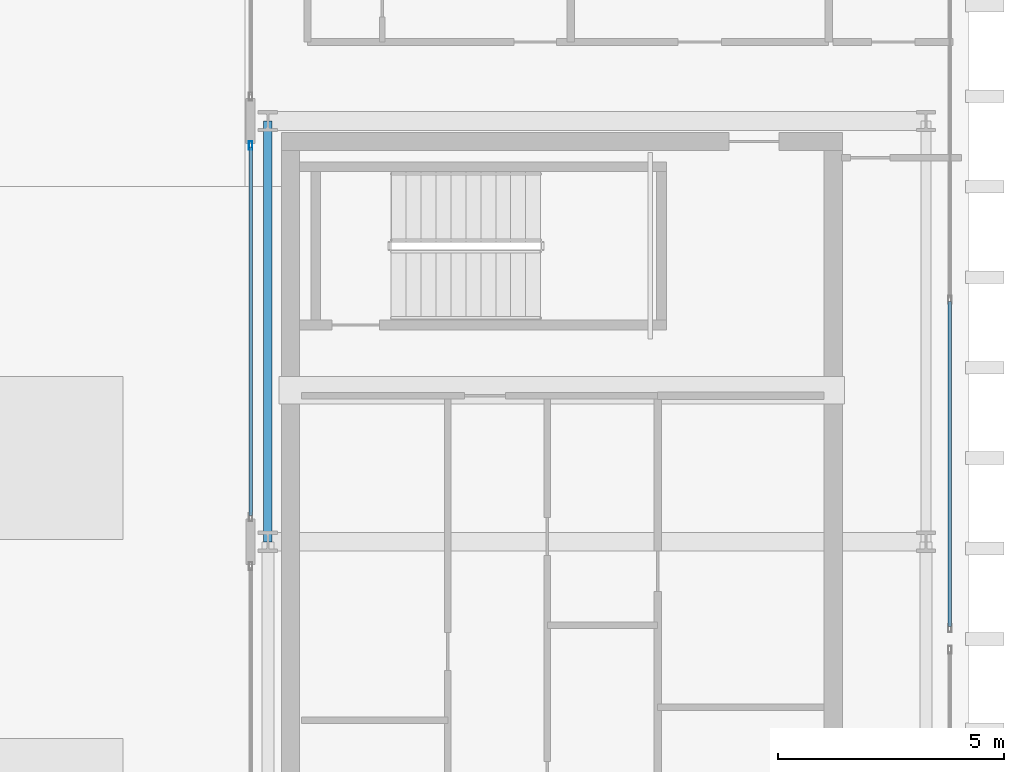
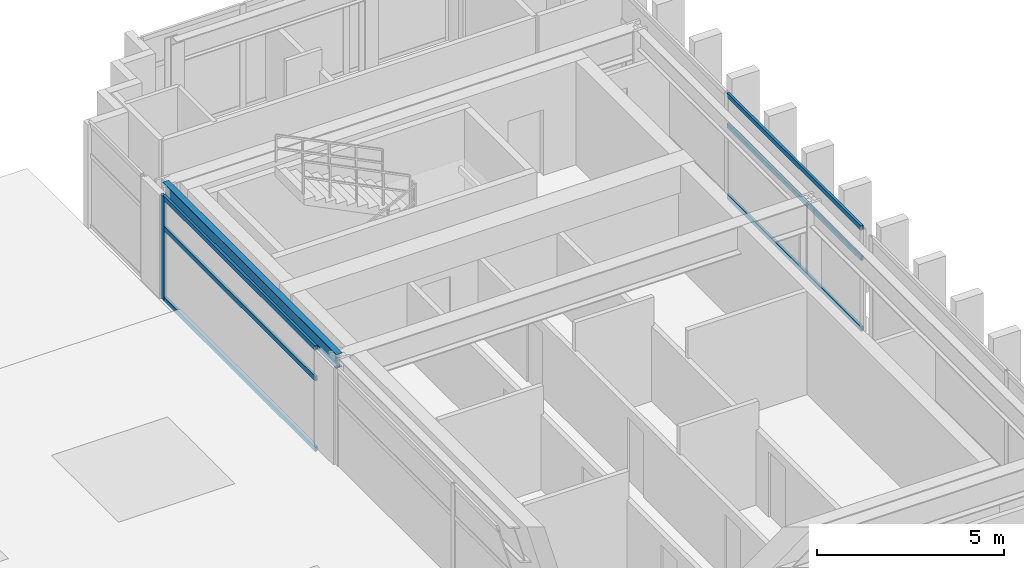
# One storey, part 12 of 25: 7 members, 1 beam, 2 elements without a shape of their own.
"""IFC4 building model written with IfcOpenShell, lengths in metres."""

import ifcopenshell
import ifcopenshell.guid

model = None  # the IFC model being written
_history = None  # IfcOwnerHistory: only IFC2X3 demands one
_inside = {}  # id of a spatial element -> (the spatial element, [elements in it])
_under = {}  # id of a project, library or spatial element -> (it, [spatial elements below it])
_declared = {}  # id of a project -> (the project, [libraries it declares])
_typed = {}  # id of a type object -> (the type object, [elements of that type])
_made_of = {}  # id of a material, layer set ... -> (it, [elements and type objects made of it])


def new_model(schema):
    """Start an empty IFC model of exactly this schema.

    Asked for "IFC4X3", IfcOpenShell would pick the latest addendum, in which some entities
    have other attributes; the version numbers below select the first issue.
    IFC2X3 requires an IfcOwnerHistory on every rooted entity: one is made here for all.
    """
    global model, _history
    if schema == "IFC4X3":
        model = ifcopenshell.file(schema_version=(4, 3, 0, 0))
    else:
        model = ifcopenshell.file(schema=schema)
    _inside.clear()
    _under.clear()
    _declared.clear()
    _typed.clear()
    _made_of.clear()
    _history = None
    if model.schema == "IFC2X3":
        org = make("IfcOrganization", Name="unknown")
        user = make(
            "IfcPersonAndOrganization",
            ThePerson=make("IfcPerson", FamilyName="unknown"),
            TheOrganization=org,
        )
        app = make(
            "IfcApplication",
            ApplicationDeveloper=org,
            Version="unknown",
            ApplicationFullName="unknown",
            ApplicationIdentifier="unknown",
        )
        _history = make(
            "IfcOwnerHistory",
            OwningUser=user,
            OwningApplication=app,
            ChangeAction="ADDED",
            CreationDate=0,
        )
    return model


def make(cls, **values):
    """One entity of the class cls with the attributes given. An attribute that is None is left unset."""
    return model.create_entity(
        cls, **{name: value for name, value in values.items() if value is not None}
    )


def rooted(cls, **values):
    """An entity with a GlobalId (a new one), such as an element, a storey or a relation."""
    return make(cls, GlobalId=ifcopenshell.guid.new(), OwnerHistory=_history, **values)


def si_unit(unit_type, name, prefix=None):
    """IfcSIUnit, for example si_unit("LENGTHUNIT", "METRE", prefix="MILLI")."""
    return make("IfcSIUnit", UnitType=unit_type, Prefix=prefix, Name=name)


def assignment(units):
    """IfcUnitAssignment: the units of a project."""
    return None if units is None else make("IfcUnitAssignment", Units=units)


def point(xyz):
    """IfcCartesianPoint."""
    return None if xyz is None else make("IfcCartesianPoint", Coordinates=xyz)


def direction(xyz):
    """IfcDirection."""
    return None if xyz is None else make("IfcDirection", DirectionRatios=xyz)


def frame(location, z_axis=None, x_axis=None):
    """IfcAxis2Placement3D, a coordinate frame: its origin and axes. An axis left out is left unset."""
    return make(
        "IfcAxis2Placement3D",
        Location=point(location),
        Axis=direction(z_axis),
        RefDirection=direction(x_axis),
    )


def frame_2d(location, x_axis=None):
    """IfcAxis2Placement2D, a coordinate frame in the plane: its origin and x axis."""
    return make(
        "IfcAxis2Placement2D", Location=point(location), RefDirection=direction(x_axis)
    )


def origin():
    """The frame at (0, 0, 0) with its axes left unset."""
    return frame((0.0, 0.0, 0.0))


def origin_2d():
    """The frame at (0, 0) in the plane with its x axis left unset."""
    return frame_2d((0.0, 0.0))


def place(relative_to, where):
    """IfcLocalPlacement: puts the frame where relative to a parent placement (None: the world)."""
    return make(
        "IfcLocalPlacement", PlacementRelTo=relative_to, RelativePlacement=where
    )


def context(
    kind, dimensions, precision=None, world=None, true_north=None, identifier=None
):
    """IfcGeometricRepresentationContext, for example the 3D "Model" context."""
    return make(
        "IfcGeometricRepresentationContext",
        ContextIdentifier=identifier,
        ContextType=kind,
        CoordinateSpaceDimension=dimensions,
        Precision=precision,
        WorldCoordinateSystem=world,
        TrueNorth=true_north,
    )


def subcontext(parent, identifier, kind, view, scale=None):
    """IfcGeometricRepresentationSubContext, for example "Body" below "Model"."""
    return make(
        "IfcGeometricRepresentationSubContext",
        ContextIdentifier=identifier,
        ContextType=kind,
        ParentContext=parent,
        TargetScale=scale,
        TargetView=view,
    )


def project(units=None, contexts=None):
    """IfcProject with its units and contexts."""
    return rooted(
        "IfcProject",
        Name="project",
        RepresentationContexts=contexts,
        UnitsInContext=assignment(units),
    )


def spatial(cls, under=None, at=None, **own):
    """A site, building, storey or space (cls), placed at a placement, below another one or the project."""
    s = rooted(cls, ObjectPlacement=at, **own)
    if under is not None:
        _under.setdefault(under.id(), (under, []))[1].append(s)
    return s


def profile(cls, at=None, kind="AREA", **sizes):
    """A parametric profile (cls). Its sizes go by their IFC names, for example OverallWidth=200.0."""
    return make(cls, ProfileType=kind, Position=at, **sizes)


def hollow_rectangle(**sizes):
    """IfcRectangleHollowProfileDef."""
    return profile("IfcRectangleHollowProfileDef", **sizes)


def i_section(**sizes):
    """IfcIShapeProfileDef."""
    return profile("IfcIShapeProfileDef", **sizes)


def extrude(swept, where, along, depth):
    """IfcExtrudedAreaSolid: the profile swept, set in the frame where, extruded along a direction by depth."""
    return make(
        "IfcExtrudedAreaSolid",
        SweptArea=swept,
        Position=where,
        ExtrudedDirection=direction(along),
        Depth=depth,
    )


def shape(context_of_items, identifier, shape_type, items):
    """IfcShapeRepresentation: the items that make up one representation, for example the "Body"."""
    return make(
        "IfcShapeRepresentation",
        ContextOfItems=context_of_items,
        RepresentationIdentifier=identifier,
        RepresentationType=shape_type,
        Items=items,
    )


def source(mapping_origin, context_of_items, identifier, shape_type, items):
    """IfcRepresentationMap: a shape defined once, which mapped items show again and again."""
    return make(
        "IfcRepresentationMap",
        MappingOrigin=mapping_origin,
        MappedRepresentation=shape(context_of_items, identifier, shape_type, items),
    )


def transform(
    local_origin,
    x_axis=None,
    y_axis=None,
    z_axis=None,
    scale=None,
    scale2=None,
    scale3=None,
    uniform=True,
):
    """IfcCartesianTransformationOperator3D, or its non-uniform kind. x_axis, y_axis, z_axis: its Axis1, 2, 3."""
    if uniform:
        return make(
            "IfcCartesianTransformationOperator3D",
            Axis1=direction(x_axis),
            Axis2=direction(y_axis),
            LocalOrigin=point(local_origin),
            Scale=scale,
            Axis3=direction(z_axis),
        )
    return make(
        "IfcCartesianTransformationOperator3DnonUniform",
        Axis1=direction(x_axis),
        Axis2=direction(y_axis),
        LocalOrigin=point(local_origin),
        Scale=scale,
        Axis3=direction(z_axis),
        Scale2=scale2,
        Scale3=scale3,
    )


def mapped(mapping_source, mapping_target):
    """IfcMappedItem: shows the shape of a source again, moved by a transform."""
    return make(
        "IfcMappedItem", MappingSource=mapping_source, MappingTarget=mapping_target
    )


def material(Name=None, Category=None):
    """IfcMaterial."""
    return make("IfcMaterial", Name=Name, Category=Category)


def layer(
    of_material, thickness, ventilated=None, Name=None, Category=None, Priority=None
):
    """IfcMaterialLayer: one layer of a wall or slab, of a material (None: an air gap)."""
    return make(
        "IfcMaterialLayer",
        Material=of_material,
        LayerThickness=thickness,
        IsVentilated=ventilated,
        Name=Name,
        Category=Category,
        Priority=Priority,
    )


def layer_set(layers, Name=None):
    """IfcMaterialLayerSet."""
    return make("IfcMaterialLayerSet", MaterialLayers=layers, LayerSetName=Name)


def material_profile(
    of_material, cross_section, Name=None, Category=None, Priority=None
):
    """IfcMaterialProfile: a cross section and its material."""
    return make(
        "IfcMaterialProfile",
        Name=Name,
        Material=of_material,
        Profile=cross_section,
        Priority=Priority,
        Category=Category,
    )


def profile_set(profiles, Name=None, composite=None):
    """IfcMaterialProfileSet."""
    return make(
        "IfcMaterialProfileSet",
        Name=Name,
        MaterialProfiles=profiles,
        CompositeProfile=composite,
    )


def made_of(thing, what):
    """Note that an element or type object is made of a material, layer set ...; save() writes the relation."""
    if what is not None:
        _made_of.setdefault(what.id(), (what, []))[1].append(thing)
    return thing


def type_object(cls, material=None, **own):
    """A type object (cls), such as IfcWallType, which elements share."""
    return made_of(rooted(cls, **own), material)


def element(
    cls,
    number,
    at=None,
    inside=None,
    cuts=None,
    type_object=None,
    material=None,
    context=None,
    identifier="Body",
    shape_type=None,
    held_by="IfcProductDefinitionShape",
    body=None,
    shapes=None,
    **own,
):
    """One element of the class cls, such as IfcWall. Its Tag is "e" and its number.

    at: its placement. inside: the storey or other place that contains it. cuts: it is an
    opening in that element (IfcRelVoidsElement). A single representation is given by context,
    identifier, shape_type and body (its items); several are given by shapes. held_by: the class
    of the entity that holds the representations. save() writes the other relations.
    """
    e = rooted(cls, Tag="e%d" % number, ObjectPlacement=at, **own)
    if body is not None:
        shapes = [shape(context, identifier, shape_type, body)]
    if shapes is not None:
        e.Representation = make(held_by, Representations=shapes)
    if inside is not None:
        _inside.setdefault(inside.id(), (inside, []))[1].append(e)
    if cuts is not None:
        rooted(
            "IfcRelVoidsElement", RelatingBuildingElement=cuts, RelatedOpeningElement=e
        )
    if type_object is not None:
        _typed.setdefault(type_object.id(), (type_object, []))[1].append(e)
    return made_of(e, material)


def aggregate(whole, parts):
    """IfcRelAggregates: a whole, such as a stair, and the parts it consists of."""
    return rooted("IfcRelAggregates", RelatingObject=whole, RelatedObjects=parts)


def save(model, path):
    """Write the relations noted so far, then the file.

    IfcRelAggregates (storeys below a building ...), IfcRelContainedInSpatialStructure (elements
    in a storey), IfcRelDefinesByType, IfcRelAssociatesMaterial and IfcRelDeclares: one each for
    every whole, place, type object, material and project.
    """
    for whole, parts in _under.values():
        aggregate(whole, parts)
    for where, things in _inside.values():
        rooted(
            "IfcRelContainedInSpatialStructure",
            RelatedElements=things,
            RelatingStructure=where,
        )
    for kind, things in _typed.values():
        rooted("IfcRelDefinesByType", RelatedObjects=things, RelatingType=kind)
    for what, things in _made_of.values():
        rooted("IfcRelAssociatesMaterial", RelatedObjects=things, RelatingMaterial=what)
    for by, libraries in _declared.values():
        rooted("IfcRelDeclares", RelatingContext=by, RelatedDefinitions=libraries)
    model.write(path)


model = new_model("IFC4")

# Units and contexts
model_context = context("Model", 3, precision=1e-05, world=origin(), true_north=direction((0.0, 1.0)))
body_context = subcontext(model_context, "Body", "Model", "MODEL_VIEW")
ifc_project = project(units=[si_unit("LENGTHUNIT", "METRE"), si_unit("AREAUNIT", "SQUARE_METRE"), si_unit("VOLUMEUNIT", "CUBIC_METRE"), si_unit("PLANEANGLEUNIT", "RADIAN"), si_unit("MASSUNIT", "GRAM", prefix="KILO")], contexts=[model_context])

# Site, building, storey
site_placement = place(None, origin())
site = spatial("IfcSite", under=ifc_project, at=site_placement, CompositionType="ELEMENT")
building_placement = place(site_placement, origin())
building = spatial("IfcBuilding", under=site, at=building_placement, Name="Ocotamira Hotel", CompositionType="ELEMENT")
storey_placement = place(building_placement, frame((0.0, 0.0, 250.800048828125)))
storey = spatial("IfcBuildingStorey", under=building, at=storey_placement, Name="L63", CompositionType="ELEMENT", Elevation=250.800048828125)

# Beam
ifc_material_1 = material(Name="Steel ASTM A992 Grade 50", Category="steel")
ifc_material_profile_1 = material_profile(ifc_material_1, i_section(OverallWidth=0.18994140625, OverallDepth=0.45703125, WebThickness=0.009033203125, FlangeThickness=0.014404296875, FilletRadius=0.010009765625, at=origin_2d()), Name="W18X50")
ifc_profile_set_1 = profile_set([ifc_material_profile_1], Name="Steel ASTM A992 Grade 50")
beam_type = type_object("IfcBeamType", Name="BM-SEC-W18X50", PredefinedType="JOIST", material=ifc_profile_set_1)
shared_shape_1 = source(origin(), body_context, "Body", "SweptSolid", [
    extrude(i_section(OverallWidth=0.18994140625, OverallDepth=0.45703125, WebThickness=0.009033203125, FlangeThickness=0.014404296875, FilletRadius=0.010009765625, at=origin_2d()), origin(), (0.0, 0.0, 1.0), 9.300048828125),
])
beam_placement = place(storey_placement, frame((40.5, 28.14990234375, 3.1513671875), z_axis=(0.0, 1.0, 0.0), x_axis=(-1.0, 0.0, 0.0)))
element("IfcBeam", 1, at=beam_placement, inside=storey, type_object=beam_type, Name="L63 Beam X40.5 Y28.15-37.45", PredefinedType="JOIST", context=body_context, shape_type="MappedRepresentation", body=[
    mapped(shared_shape_1, transform((0.0, 0.0, 0.0), scale=1.0)),
])

# Curtain wall, member
ifc_material_2 = material(Name="Anodised pale-metal aluminium and solar glass", Category="aluminium")
ifc_layer = layer(ifc_material_2, 0.2099609375)
ifc_layer_set = layer_set([ifc_layer], Name="Anodised pale-metal aluminium and solar glass")
curtain_wall_type = type_object("IfcCurtainWallType", Name="CW-SYS7-PEAK", PredefinedType="NOTDEFINED", material=ifc_layer_set)
curtain_wall_1_placement = place(storey_placement, origin())
curtain_wall_1 = element("IfcCurtainWall", 2, at=curtain_wall_1_placement, inside=storey, type_object=curtain_wall_type, Name="L63 Curtain Wall CW-7 CW-L63-EI3", PredefinedType="NOTDEFINED")
ifc_material_3 = material(Name="Anodised pale-metal aluminium 6063-T6", Category="aluminium")
ifc_material_profile_2 = material_profile(ifc_material_3, hollow_rectangle(XDim=0.080078125, YDim=0.179931640625, WallThickness=0.006103515625, at=origin_2d()), Name="HSS180X80X6")
ifc_profile_set_2 = profile_set([ifc_material_profile_2], Name="Anodised pale-metal aluminium 6063-T6")
member_type_1 = type_object("IfcMemberType", Name="CWM-180X75", PredefinedType="MULLION", material=ifc_profile_set_2)
shared_shape_2 = source(origin(), body_context, "Body", "SweptSolid", [
    extrude(hollow_rectangle(XDim=0.080078125, YDim=0.179931640625, WallThickness=0.006103515625, at=origin_2d()), origin(), (0.0, 0.0, 1.0), 3.3798828125),
])
member_1_placement = place(storey_placement, frame((40.1201171875, 36.909912109375, 0.0), z_axis=(0.0, 0.0, 1.0), x_axis=(-1.0, 0.0, 0.0)))
member_1 = element("IfcMember", 3, at=member_1_placement, type_object=member_type_1, Name="CW-7 mullion 2", PredefinedType="MULLION", context=body_context, shape_type="MappedRepresentation", body=[
    mapped(shared_shape_2, transform((0.0, 0.0, 0.0), scale=1.0)),
])

# Curtain wall, members
curtain_wall_2_placement = place(storey_placement, origin())
curtain_wall_2 = element("IfcCurtainWall", 4, at=curtain_wall_2_placement, inside=storey, type_object=curtain_wall_type, Name="L63 Curtain Wall CW-7 CW-L63-EO2", PredefinedType="NOTDEFINED")
ifc_material_profile_3 = material_profile(ifc_material_3, hollow_rectangle(XDim=0.074951171875, YDim=0.14990234375, WallThickness=0.006103515625, at=origin_2d()), Name="HSS150X75X6")
ifc_profile_set_3 = profile_set([ifc_material_profile_3], Name="Anodised pale-metal aluminium 6063-T6")
member_type_2 = type_object("IfcMemberType", Name="CWT-150X75", PredefinedType="USERDEFINED", material=ifc_profile_set_3)
shared_shape_3 = source(origin(), body_context, "Body", "SweptSolid", [
    extrude(hollow_rectangle(XDim=0.074951171875, YDim=0.14990234375, WallThickness=0.006103515625, at=origin_2d()), origin(), (0.0, 0.0, 1.0), 7.179931640625),
])
member_2_placement = place(storey_placement, frame((55.580078125, 26.280029296875, 0.037353515625), z_axis=(0.0, 1.0, 0.0), x_axis=(-1.0, 0.0, 0.0)))
member_2 = element("IfcMember", 5, at=member_2_placement, type_object=member_type_2, Name="CW-7 transom 1.1", ObjectType="TRANSOM", PredefinedType="USERDEFINED", context=body_context, shape_type="MappedRepresentation", body=[
    mapped(shared_shape_3, transform((0.0, 0.0, 0.0), scale=1.0)),
])
member_3_placement = place(storey_placement, frame((55.580078125, 26.280029296875, 2.349853515625), z_axis=(0.0, 1.0, 0.0), x_axis=(-1.0, 0.0, 0.0)))
member_3 = element("IfcMember", 6, at=member_3_placement, type_object=member_type_2, Name="CW-7 transom 1.2", ObjectType="TRANSOM", PredefinedType="USERDEFINED", context=body_context, shape_type="MappedRepresentation", body=[
    mapped(shared_shape_3, transform((0.0, 0.0, 0.0), scale=1.0)),
])
member_4_placement = place(storey_placement, frame((55.580078125, 26.280029296875, 3.342529296875), z_axis=(0.0, 1.0, 0.0), x_axis=(-1.0, 0.0, 0.0)))
member_4 = element("IfcMember", 7, at=member_4_placement, type_object=member_type_2, Name="CW-7 transom 1.3", ObjectType="TRANSOM", PredefinedType="USERDEFINED", context=body_context, shape_type="MappedRepresentation", body=[
    mapped(shared_shape_3, transform((0.0, 0.0, 0.0), scale=1.0)),
])
aggregate(curtain_wall_2, [member_2, member_3, member_4])

# Member
shared_shape_4 = source(origin(), body_context, "Body", "SweptSolid", [
    extrude(hollow_rectangle(XDim=0.074951171875, YDim=0.14990234375, WallThickness=0.006103515625, at=origin_2d()), origin(), (0.0, 0.0, 1.0), 8.14013671875),
])
member_5_placement = place(storey_placement, frame((40.1201171875, 28.72998046875, 0.037353515625), z_axis=(0.0, 1.0, 0.0), x_axis=(-1.0, 0.0, 0.0)))
member_5 = element("IfcMember", 8, at=member_5_placement, type_object=member_type_2, Name="CW-7 transom 1.1", ObjectType="TRANSOM", PredefinedType="USERDEFINED", context=body_context, shape_type="MappedRepresentation", body=[
    mapped(shared_shape_4, transform((0.0, 0.0, 0.0), scale=1.0)),
])

member_6_placement = place(storey_placement, frame((40.1201171875, 28.72998046875, 2.349853515625), z_axis=(0.0, 1.0, 0.0), x_axis=(-1.0, 0.0, 0.0)))
member_6 = element("IfcMember", 9, at=member_6_placement, type_object=member_type_2, Name="CW-7 transom 1.2", ObjectType="TRANSOM", PredefinedType="USERDEFINED", context=body_context, shape_type="MappedRepresentation", body=[
    mapped(shared_shape_4, transform((0.0, 0.0, 0.0), scale=1.0)),
])

member_7_placement = place(storey_placement, frame((40.1201171875, 28.72998046875, 3.342529296875), z_axis=(0.0, 1.0, 0.0), x_axis=(-1.0, 0.0, 0.0)))
member_7 = element("IfcMember", 10, at=member_7_placement, type_object=member_type_2, Name="CW-7 transom 1.3", ObjectType="TRANSOM", PredefinedType="USERDEFINED", context=body_context, shape_type="MappedRepresentation", body=[
    mapped(shared_shape_4, transform((0.0, 0.0, 0.0), scale=1.0)),
])

aggregate(curtain_wall_1, [member_1, member_5, member_6, member_7])

save(model, "model.ifc")
